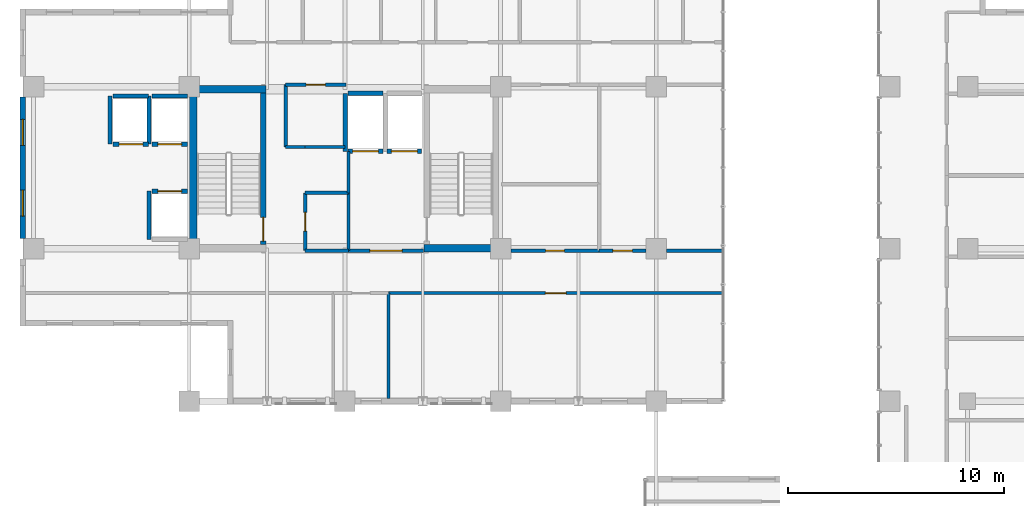
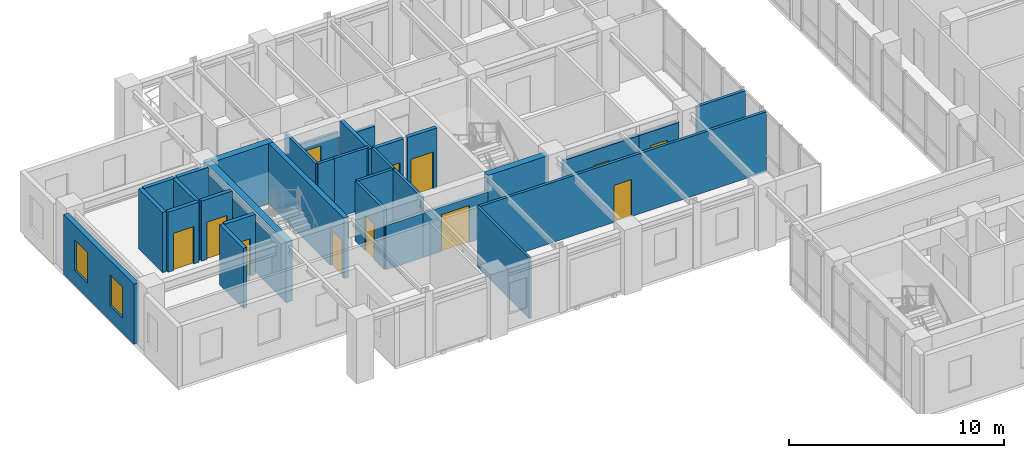
# One storey, part 17 of 24: 32 walls, 12 doors, 2 windows, 14 openings.
"""IFC4 building model written with IfcOpenShell, lengths in metres."""

from ifc_helpers import new_model, si_unit, direction, frame, frame_2d, origin, place, context, subcontext, project, spatial, rectangle, extrude, material, layer, layer_set, type_object, element, fill, save


model = new_model("IFC4")

# Units and contexts
model_context = context("Model", 3, precision=1e-05, world=origin(), true_north=direction((0.0, 1.0)))
body_context = subcontext(model_context, "Body", "Model", "MODEL_VIEW")
ifc_project = project(units=[si_unit("LENGTHUNIT", "METRE"), si_unit("AREAUNIT", "SQUARE_METRE"), si_unit("VOLUMEUNIT", "CUBIC_METRE"), si_unit("PLANEANGLEUNIT", "RADIAN"), si_unit("MASSUNIT", "GRAM", prefix="KILO")], contexts=[model_context])

# Site, building, storey
site_placement = place(None, origin())
site = spatial("IfcSite", under=ifc_project, at=site_placement, CompositionType="ELEMENT")
building_placement = place(site_placement, origin())
building = spatial("IfcBuilding", under=site, at=building_placement, Name="Kaliganga Portal Commons", CompositionType="ELEMENT")
storey_placement = place(building_placement, frame((0.0, 0.0, 242.5)))
storey = spatial("IfcBuildingStorey", under=building, at=storey_placement, Name="L62", CompositionType="ELEMENT", Elevation=242.5)

# Walls
ifc_material_1 = material(Name="Concrete C50/60", Category="concrete")
ifc_layer_1 = layer(ifc_material_1, 0.35009765625)
ifc_layer_set_1 = layer_set([ifc_layer_1], Name="Concrete C50/60")
wall_type_1 = type_object("IfcWallType", Name="WL-CORE-350", PredefinedType="SHEAR", material=ifc_layer_set_1)
wall_1_placement = place(storey_placement, frame((14.574951171875, 28.5, 0.0), z_axis=(0.0, 0.0, 1.0), x_axis=(0.0, 1.0, 0.0)))
element("IfcWall", 1, at=wall_1_placement, inside=storey, type_object=wall_type_1, Name="Core A West Shear Wall L62", PredefinedType="SHEAR", context=body_context, shape_type="SweptSolid", body=[
    extrude(rectangle(XDim=7.699951171875, YDim=0.35009765625, at=frame_2d((3.85009765625, 0.0))), origin(), (0.0, 0.0, 1.0), 3.43994140625),
])
for number, where, z_axis, x_axis, name in (
    (2, (25.25, 28.675048828125, 0.0), (0.0, 0.0, 1.0), (1.0, 0.0, 0.0), "Core A S-East Shear Wall L62"),
    (3, (14.75, 36.02490234375, 0.0), (0.0, 0.0, 1.0), (1.0, 0.0, 0.0), "Core A N-West Shear Wall L62"),
):
    element("IfcWall", number, at=place(storey_placement, frame(where, z_axis=z_axis, x_axis=x_axis)), inside=storey, type_object=wall_type_1, Name=name, PredefinedType="SHEAR", context=body_context, shape_type="SweptSolid", body=[
        extrude(rectangle(XDim=3.199951171875, YDim=0.35009765625, at=frame_2d((1.60009765625, 0.0))), origin(), (0.0, 0.0, 1.0), 3.43994140625),
    ])

# Wall, openings, windows
ifc_material_2 = material(Name="Insulated Aluminium-Clad Spandrel Assembly", Category="aluminium")
ifc_layer_2 = layer(ifc_material_2, 0.260009765625)
ifc_layer_set_2 = layer_set([ifc_layer_2], Name="Insulated Aluminium-Clad Spandrel Assembly")
wall_type_2 = type_object("IfcWallType", Name="WL-EXT-SPAND-260", PredefinedType="STANDARD", material=ifc_layer_set_2)
wall_2_placement = place(storey_placement, frame((6.699951171875, 29.1259765625, 0.0), z_axis=(0.0, 0.0, 1.0), x_axis=(0.0, 1.0, 0.0)))
wall_2 = element("IfcWall", 4, at=wall_2_placement, inside=storey, type_object=wall_type_2, Name="Exterior Envelope Wall L62 P1-E05-S2", PredefinedType="STANDARD", context=body_context, shape_type="SweptSolid", body=[
    extrude(rectangle(XDim=6.548095703125, YDim=0.260009765625, at=frame_2d((3.27392578125, 0.0))), origin(), (0.0, 0.0, 1.0), 3.419921875),
])
opening_1_placement = place(wall_2_placement, frame((1.037109375, 0.0, 0.85009765625)))
opening_1 = element("IfcOpeningElement", 5, at=opening_1_placement, cuts=wall_2, Name="Opening W-03", PredefinedType="OPENING", context=body_context, shape_type="SweptSolid", body=[
    extrude(rectangle(XDim=1.199951171875, YDim=1.75, at=frame_2d((0.60009765625, 0.875))), frame((0.0, 0.14013671875, 0.0), z_axis=(0.0, -1.0, 0.0), x_axis=(1.0, 0.0, 0.0)), (0.0, 0.0, 1.0), 0.280029296875),
])
opening_2_placement = place(wall_2_placement, frame((4.31103515625, 0.0, 0.85009765625)))
opening_2 = element("IfcOpeningElement", 6, at=opening_2_placement, cuts=wall_2, Name="Opening W-03", PredefinedType="OPENING", context=body_context, shape_type="SweptSolid", body=[
    extrude(rectangle(XDim=1.199951171875, YDim=1.75, at=frame_2d((0.60009765625, 0.875))), frame((0.0, 0.14013671875, 0.0), z_axis=(0.0, -1.0, 0.0), x_axis=(1.0, 0.0, 0.0)), (0.0, 0.0, 1.0), 0.280029296875),
])
ifc_material_3 = material(Name="Thermally Broken Aluminium and Low-E Double Glazing", Category="aluminium")
window_type = type_object("IfcWindowType", Name="WIN-STD-1200", PartitioningType="SINGLE_PANEL", PredefinedType="WINDOW", material=ifc_material_3)
window_1_placement = place(opening_1_placement, origin())
window_1 = element("IfcWindow", 7, at=window_1_placement, inside=storey, type_object=window_type, Name="Facade Window L62-P1E05S2-00", OverallHeight=1.75, OverallWidth=1.199951171875, PartitioningType="SINGLE_PANEL", PredefinedType="WINDOW", context=body_context, shape_type="SweptSolid", body=[
    extrude(rectangle(XDim=1.199951171875, YDim=1.75, at=frame_2d((0.60009765625, 0.875))), frame((0.0, 0.030029296875, 0.0), z_axis=(0.0, -1.0, 0.0), x_axis=(1.0, 0.0, 0.0)), (0.0, 0.0, 1.0), 0.06005859375),
])
fill(opening_1, window_1)
window_2_placement = place(opening_2_placement, origin())
window_2 = element("IfcWindow", 8, at=window_2_placement, inside=storey, type_object=window_type, Name="Facade Window L62-P1E05S2-01", OverallHeight=1.75, OverallWidth=1.199951171875, PartitioningType="SINGLE_PANEL", PredefinedType="WINDOW", context=body_context, shape_type="SweptSolid", body=[
    extrude(rectangle(XDim=1.199951171875, YDim=1.75, at=frame_2d((0.60009765625, 0.875))), frame((0.0, 0.030029296875, 0.0), z_axis=(0.0, -1.0, 0.0), x_axis=(1.0, 0.0, 0.0)), (0.0, 0.0, 1.0), 0.06005859375),
])
fill(opening_2, window_2)

# Wall, opening, door
ifc_material_4 = material(Name="Fire-Rated Gypsum Board on Steel Stud", Category="steel")
ifc_layer_3 = layer(ifc_material_4, 0.14990234375)
ifc_layer_set_3 = layer_set([ifc_layer_3], Name="Fire-Rated Gypsum Board on Steel Stud")
wall_type_3 = type_object("IfcWallType", Name="WL-PART-CORR-150", PredefinedType="PARTITIONING", material=ifc_layer_set_3)
wall_3_placement = place(storey_placement, frame((23.6201171875, 26.60009765625, 0.0), z_axis=(0.0, 0.0, 1.0), x_axis=(1.0, 0.0, 0.0)))
wall_3 = element("IfcWall", 9, at=wall_3_placement, inside=storey, type_object=wall_type_3, Name="Interior Partition L62-001", PredefinedType="PARTITIONING", context=body_context, shape_type="SweptSolid", body=[
    extrude(rectangle(XDim=15.4599609375, YDim=0.14990234375, at=frame_2d((7.72998046875, 0.0))), origin(), (0.0, 0.0, 1.0), 3.419921875),
])
opening_3_placement = place(wall_3_placement, frame((7.2548828125, 0.0, 0.0)))
opening_3 = element("IfcOpeningElement", 10, at=opening_3_placement, cuts=wall_3, Name="Opening UD-01", PredefinedType="OPENING", context=body_context, shape_type="SweptSolid", body=[
    extrude(rectangle(XDim=0.949951171875, YDim=2.10009765625, at=frame_2d((0.47509765625, 1.050048828125))), frame((0.0, 0.0849609375, 0.0), z_axis=(0.0, -1.0, 0.0), x_axis=(1.0, 0.0, 0.0)), (0.0, 0.0, 1.0), 0.169921875),
])
ifc_material_5 = material(Name="Solid-Core Timber Acoustic Fire Door", Category="wood")
door_type_1 = type_object("IfcDoorType", Name="DR-UNIT-950", OperationType="NOTDEFINED", PredefinedType="DOOR", material=ifc_material_5)
door_1_placement = place(opening_3_placement, origin())
door_1 = element("IfcDoor", 11, at=door_1_placement, inside=storey, type_object=door_type_1, Name="Interior Door L62-AS03", OperationType="SINGLE_SWING_LEFT", OverallHeight=2.10009765625, OverallWidth=0.949951171875, PredefinedType="DOOR", context=body_context, shape_type="SweptSolid", body=[
    extrude(rectangle(XDim=0.949951171875, YDim=2.10009765625, at=frame_2d((0.47509765625, 1.050048828125))), frame((0.0, 0.02490234375, 0.0), z_axis=(0.0, -1.0, 0.0), x_axis=(1.0, 0.0, 0.0)), (0.0, 0.0, 1.0), 0.050048828125),
])
fill(opening_3, door_1)

wall_4_placement = place(storey_placement, frame((33.360107421875, 28.56005859375, 0.0), z_axis=(0.0, 0.0, 1.0), x_axis=(1.0, 0.0, 0.0)))
wall_4 = element("IfcWall", 12, at=wall_4_placement, inside=storey, type_object=wall_type_3, Name="Interior Partition L62-006", PredefinedType="PARTITIONING", context=body_context, shape_type="SweptSolid", body=[
    extrude(rectangle(XDim=2.164794921875, YDim=0.14990234375, at=frame_2d((1.08251953125, 0.0))), origin(), (0.0, 0.0, 1.0), 2.8701171875),
])
opening_4_placement = place(wall_4_placement, frame((0.632568359375, 0.0, 0.0)))
opening_4 = element("IfcOpeningElement", 13, at=opening_4_placement, cuts=wall_4, Name="Opening RD-01", PredefinedType="OPENING", context=body_context, shape_type="SweptSolid", body=[
    extrude(rectangle(XDim=0.89990234375, YDim=2.080078125, at=frame_2d((0.449951171875, 1.0400390625))), frame((0.0, 0.0849609375, 0.0), z_axis=(0.0, -1.0, 0.0), x_axis=(1.0, 0.0, 0.0)), (0.0, 0.0, 1.0), 0.169921875),
])
ifc_material_6 = material(Name="Engineered Timber Flush Door", Category="wood")
door_type_2 = type_object("IfcDoorType", Name="DR-ROOM-900", OperationType="NOTDEFINED", PredefinedType="DOOR", material=ifc_material_6)
door_2_placement = place(opening_4_placement, origin())
door_2 = element("IfcDoor", 14, at=door_2_placement, inside=storey, type_object=door_type_2, Name="Interior Door L62-APE01", OperationType="SINGLE_SWING_RIGHT", OverallHeight=2.080078125, OverallWidth=0.89990234375, PredefinedType="DOOR", context=body_context, shape_type="SweptSolid", body=[
    extrude(rectangle(XDim=0.89990234375, YDim=2.080078125, at=frame_2d((0.449951171875, 1.0400390625))), frame((0.0, 0.02490234375, 0.0), z_axis=(0.0, -1.0, 0.0), x_axis=(1.0, 0.0, 0.0)), (0.0, 0.0, 1.0), 0.050048828125),
])
fill(opening_4, door_2)

# Wall
wall_5_placement = place(storey_placement, frame((36.47509765625, 28.56005859375, 0.0), z_axis=(0.0, 0.0, 1.0), x_axis=(1.0, 0.0, 0.0)))
element("IfcWall", 15, at=wall_5_placement, inside=storey, type_object=wall_type_3, Name="Interior Partition L62-007", PredefinedType="PARTITIONING", context=body_context, shape_type="SweptSolid", body=[
    extrude(rectangle(XDim=2.60498046875, YDim=0.14990234375, at=frame_2d((1.302490234375, 0.0))), origin(), (0.0, 0.0, 1.0), 3.419921875),
])

# Wall, opening, door
wall_6_placement = place(storey_placement, frame((29.27490234375, 28.56005859375, 0.0), z_axis=(0.0, 0.0, 1.0), x_axis=(1.0, 0.0, 0.0)))
wall_6 = element("IfcWall", 16, at=wall_6_placement, inside=storey, type_object=wall_type_3, Name="Interior Partition L62-010", PredefinedType="PARTITIONING", context=body_context, shape_type="SweptSolid", body=[
    extrude(rectangle(XDim=4.085205078125, YDim=0.14990234375, at=frame_2d((2.04248046875, 0.0))), origin(), (0.0, 0.0, 1.0), 2.8701171875),
])
opening_5_placement = place(wall_6_placement, frame((1.612548828125, 0.0, 0.0)))
opening_5 = element("IfcOpeningElement", 17, at=opening_5_placement, cuts=wall_6, Name="Opening WD-02", PredefinedType="OPENING", context=body_context, shape_type="SweptSolid", body=[
    extrude(rectangle(XDim=0.860107421875, YDim=2.02001953125, at=frame_2d((0.43017578125, 1.010009765625))), frame((0.0, 0.0849609375, 0.0), z_axis=(0.0, -1.0, 0.0), x_axis=(1.0, 0.0, 0.0)), (0.0, 0.0, 1.0), 0.169921875),
])
ifc_material_7 = material(Name="Fire-Rated Utility Closet Door", Category="wood")
door_type_3 = type_object("IfcDoorType", Name="DR-STORE-800", OperationType="NOTDEFINED", PredefinedType="DOOR", material=ifc_material_7)
door_3_placement = place(opening_5_placement, origin())
door_3 = element("IfcDoor", 18, at=door_3_placement, inside=storey, type_object=door_type_3, Name="Interior Door L62-CSRV_A1", OperationType="SINGLE_SWING_LEFT", OverallHeight=2.02001953125, OverallWidth=0.860107421875, PredefinedType="DOOR", context=body_context, shape_type="SweptSolid", body=[
    extrude(rectangle(XDim=0.860107421875, YDim=2.02001953125, at=frame_2d((0.43017578125, 1.010009765625))), frame((0.0, 0.02490234375, 0.0), z_axis=(0.0, -1.0, 0.0), x_axis=(1.0, 0.0, 0.0)), (0.0, 0.0, 1.0), 0.050048828125),
])
fill(opening_5, door_3)

# Wall
wall_7_placement = place(storey_placement, frame((18.860107421875, 33.360107421875, 0.0), z_axis=(0.0, 0.0, 1.0), x_axis=(0.0, 1.0, 0.0)))
element("IfcWall", 19, at=wall_7_placement, inside=storey, type_object=wall_type_3, Name="Interior Partition L62-025", PredefinedType="PARTITIONING", context=body_context, shape_type="SweptSolid", body=[
    extrude(rectangle(XDim=2.8798828125, YDim=0.14990234375, at=frame_2d((1.43994140625, 0.0))), origin(), (0.0, 0.0, 1.0), 3.419921875),
])

# Wall, opening, door
wall_8_placement = place(storey_placement, frame((18.860107421875, 36.239990234375, 0.0), z_axis=(0.0, 0.0, 1.0), x_axis=(1.0, 0.0, 0.0)))
wall_8 = element("IfcWall", 20, at=wall_8_placement, inside=storey, type_object=wall_type_3, Name="Interior Partition L62-026", PredefinedType="PARTITIONING", context=body_context, shape_type="SweptSolid", body=[
    extrude(rectangle(XDim=2.77978515625, YDim=0.14990234375, at=frame_2d((1.389892578125, 0.0))), origin(), (0.0, 0.0, 1.0), 2.52001953125),
])
opening_6_placement = place(wall_8_placement, frame((0.93994140625, 0.0, 0.0)))
opening_6 = element("IfcOpeningElement", 21, at=opening_6_placement, cuts=wall_8, Name="Opening RD-01", PredefinedType="OPENING", context=body_context, shape_type="SweptSolid", body=[
    extrude(rectangle(XDim=0.89990234375, YDim=2.080078125, at=frame_2d((0.449951171875, 1.0400390625))), frame((0.0, 0.0849609375, 0.0), z_axis=(0.0, -1.0, 0.0), x_axis=(1.0, 0.0, 0.0)), (0.0, 0.0, 1.0), 0.169921875),
])
door_4_placement = place(opening_6_placement, origin())
door_4 = element("IfcDoor", 22, at=door_4_placement, inside=storey, type_object=door_type_2, Name="Interior Door L62-CREC_A1", OperationType="SINGLE_SWING_LEFT", OverallHeight=2.080078125, OverallWidth=0.89990234375, PredefinedType="DOOR", context=body_context, shape_type="SweptSolid", body=[
    extrude(rectangle(XDim=0.89990234375, YDim=2.080078125, at=frame_2d((0.449951171875, 1.0400390625))), frame((0.0, 0.02490234375, 0.0), z_axis=(0.0, -1.0, 0.0), x_axis=(1.0, 0.0, 0.0)), (0.0, 0.0, 1.0), 0.050048828125),
])
fill(opening_6, door_4)

wall_9_placement = place(storey_placement, frame((19.760009765625, 28.56005859375, 0.0), z_axis=(0.0, 0.0, 1.0), x_axis=(0.0, 1.0, 0.0)))
wall_9 = element("IfcWall", 23, at=wall_9_placement, inside=storey, type_object=wall_type_3, Name="Interior Partition L62-027", PredefinedType="PARTITIONING", context=body_context, shape_type="SweptSolid", body=[
    extrude(rectangle(XDim=2.679931640625, YDim=0.14990234375, at=frame_2d((1.33984375, 0.0))), origin(), (0.0, 0.0, 1.0), 3.419921875),
])
opening_7_placement = place(wall_9_placement, frame((0.909912109375, 0.0, 0.0)))
opening_7 = element("IfcOpeningElement", 24, at=opening_7_placement, cuts=wall_9, Name="Opening WD-02", PredefinedType="OPENING", context=body_context, shape_type="SweptSolid", body=[
    extrude(rectangle(XDim=0.860107421875, YDim=2.02001953125, at=frame_2d((0.43017578125, 1.010009765625))), frame((0.0, 0.0849609375, 0.0), z_axis=(0.0, -1.0, 0.0), x_axis=(1.0, 0.0, 0.0)), (0.0, 0.0, 1.0), 0.169921875),
])
door_5_placement = place(opening_7_placement, origin())
door_5 = element("IfcDoor", 25, at=door_5_placement, inside=storey, type_object=door_type_3, Name="Interior Door L62-CIN_A1", OperationType="SINGLE_SWING_RIGHT", OverallHeight=2.02001953125, OverallWidth=0.860107421875, PredefinedType="DOOR", context=body_context, shape_type="SweptSolid", body=[
    extrude(rectangle(XDim=0.860107421875, YDim=2.02001953125, at=frame_2d((0.43017578125, 1.010009765625))), frame((0.0, 0.02490234375, 0.0), z_axis=(0.0, -1.0, 0.0), x_axis=(1.0, 0.0, 0.0)), (0.0, 0.0, 1.0), 0.050048828125),
])
fill(opening_7, door_5)

# Walls
wall_10_placement = place(storey_placement, frame((21.760009765625, 28.56005859375, 0.0), z_axis=(0.0, 0.0, 1.0), x_axis=(0.0, 1.0, 0.0)))
element("IfcWall", 26, at=wall_10_placement, inside=storey, type_object=wall_type_3, Name="Interior Partition L62-028", PredefinedType="PARTITIONING", context=body_context, shape_type="SweptSolid", body=[
    extrude(rectangle(XDim=2.679931640625, YDim=0.14990234375, at=frame_2d((1.33984375, 0.0))), origin(), (0.0, 0.0, 1.0), 3.419921875),
])
wall_11_placement = place(storey_placement, frame((19.760009765625, 28.56005859375, 0.0), z_axis=(0.0, 0.0, 1.0), x_axis=(1.0, 0.0, 0.0)))
element("IfcWall", 27, at=wall_11_placement, inside=storey, type_object=wall_type_3, Name="Interior Partition L62-032", PredefinedType="PARTITIONING", context=body_context, shape_type="SweptSolid", body=[
    extrude(rectangle(XDim=2.0, YDim=0.14990234375, at=frame_2d((1.0, 0.0))), origin(), (0.0, 0.0, 1.0), 2.52001953125),
])
wall_12_placement = place(storey_placement, frame((19.760009765625, 31.239990234375, 0.0), z_axis=(0.0, 0.0, 1.0), x_axis=(1.0, 0.0, 0.0)))
element("IfcWall", 28, at=wall_12_placement, inside=storey, type_object=wall_type_3, Name="Interior Partition L62-033", PredefinedType="PARTITIONING", context=body_context, shape_type="SweptSolid", body=[
    extrude(rectangle(XDim=2.0, YDim=0.14990234375, at=frame_2d((1.0, 0.0))), origin(), (0.0, 0.0, 1.0), 3.419921875),
])
wall_13_placement = place(storey_placement, frame((19.760009765625, 33.360107421875, 0.0), z_axis=(0.0, 0.0, 1.0), x_axis=(1.0, 0.0, 0.0)))
element("IfcWall", 29, at=wall_13_placement, inside=storey, type_object=wall_type_3, Name="Interior Partition L62-034", PredefinedType="PARTITIONING", context=body_context, shape_type="SweptSolid", body=[
    extrude(rectangle(XDim=1.85009765625, YDim=0.14990234375, at=frame_2d((0.925048828125, 0.0))), origin(), (0.0, 0.0, 1.0), 3.419921875),
])
wall_14_placement = place(storey_placement, frame((18.860107421875, 33.360107421875, 0.0), z_axis=(0.0, 0.0, 1.0), x_axis=(1.0, 0.0, 0.0)))
element("IfcWall", 30, at=wall_14_placement, inside=storey, type_object=wall_type_3, Name="Interior Partition L62-040", PredefinedType="PARTITIONING", context=body_context, shape_type="SweptSolid", body=[
    extrude(rectangle(XDim=0.89990234375, YDim=0.14990234375, at=frame_2d((0.449951171875, 0.0))), origin(), (0.0, 0.0, 1.0), 3.419921875),
])

# Wall, opening, door
wall_15_placement = place(storey_placement, frame((21.760009765625, 28.56005859375, 0.0), z_axis=(0.0, 0.0, 1.0), x_axis=(1.0, 0.0, 0.0)))
wall_15 = element("IfcWall", 31, at=wall_15_placement, inside=storey, type_object=wall_type_3, Name="Interior Partition L62-058", PredefinedType="PARTITIONING", context=body_context, shape_type="SweptSolid", body=[
    extrude(rectangle(XDim=3.47998046875, YDim=0.14990234375, at=frame_2d((1.739990234375, 0.0))), origin(), (0.0, 0.0, 1.0), 2.52001953125),
])
opening_8_placement = place(wall_15_placement, frame((0.989990234375, 0.0, 0.0)))
opening_8 = element("IfcOpeningElement", 32, at=opening_8_placement, cuts=wall_15, Name="Opening FD-01", PredefinedType="OPENING", context=body_context, shape_type="SweptSolid", body=[
    extrude(rectangle(XDim=1.5, YDim=2.10009765625, at=frame_2d((0.75, 1.050048828125))), frame((0.0, 0.0849609375, 0.0), z_axis=(0.0, -1.0, 0.0), x_axis=(1.0, 0.0, 0.0)), (0.0, 0.0, 1.0), 0.169921875),
])
ifc_material_8 = material(Name="Fire-Rated Hardwood and Georgian-Wired Vision Panel", Category="wood")
door_type_4 = type_object("IfcDoorType", Name="DR-LOBBY-1500", OperationType="DOUBLE_DOOR_SINGLE_SWING", PredefinedType="DOOR", material=ifc_material_8)
door_6_placement = place(opening_8_placement, origin())
door_6 = element("IfcDoor", 33, at=door_6_placement, inside=storey, type_object=door_type_4, Name="Interior Door L62-FFLOB_A", OperationType="DOUBLE_DOOR_SINGLE_SWING", OverallHeight=2.10009765625, OverallWidth=1.5, PredefinedType="DOOR", context=body_context, shape_type="SweptSolid", body=[
    extrude(rectangle(XDim=1.5, YDim=2.10009765625, at=frame_2d((0.75, 1.050048828125))), frame((0.0, 0.02490234375, 0.0), z_axis=(0.0, -1.0, 0.0), x_axis=(1.0, 0.0, 0.0)), (0.0, 0.0, 1.0), 0.050048828125),
])
fill(opening_8, door_6)

# Walls
wall_16_placement = place(storey_placement, frame((21.760009765625, 31.239990234375, 0.0), z_axis=(0.0, 0.0, 1.0), x_axis=(0.0, 1.0, 0.0)))
element("IfcWall", 34, at=wall_16_placement, inside=storey, type_object=wall_type_3, Name="Interior Partition L62-060", PredefinedType="PARTITIONING", context=body_context, shape_type="SweptSolid", body=[
    extrude(rectangle(XDim=1.919921875, YDim=0.14990234375, at=frame_2d((0.9599609375, 0.0))), origin(), (0.0, 0.0, 1.0), 3.419921875),
])
ifc_material_9 = material(Name="Cement-Board Wet-Room Partition", Category="gypsum")
ifc_layer_4 = layer(ifc_material_9, 0.135009765625)
ifc_layer_set_4 = layer_set([ifc_layer_4], Name="Cement-Board Wet-Room Partition")
wall_type_4 = type_object("IfcWallType", Name="WL-PART-WET-135", PredefinedType="PARTITIONING", material=ifc_layer_set_4)
wall_17_placement = place(storey_placement, frame((23.6201171875, 21.73193359375, 0.0), z_axis=(0.0, 0.0, 1.0), x_axis=(0.0, 1.0, 0.0)))
element("IfcWall", 35, at=wall_17_placement, inside=storey, type_object=wall_type_4, Name="Interior Partition L62-051", PredefinedType="PARTITIONING", context=body_context, shape_type="SweptSolid", body=[
    extrude(rectangle(XDim=4.8681640625, YDim=0.135009765625, at=frame_2d((2.43408203125, 0.0))), origin(), (0.0, 0.0, 1.0), 3.419921875),
])

# Wall, opening, door
ifc_material_10 = material(Name="Fire-Rated Shaftwall Masonry Assembly", Category="masonry")
ifc_layer_5 = layer(ifc_material_10, 0.199951171875)
ifc_layer_set_5 = layer_set([ifc_layer_5], Name="Fire-Rated Shaftwall Masonry Assembly")
wall_type_5 = type_object("IfcWallType", Name="WL-SHAFT-200", PredefinedType="PARTITIONING", material=ifc_layer_set_5)
wall_18_placement = place(storey_placement, frame((12.675048828125, 33.485107421875, 0.0), z_axis=(0.0, 0.0, 1.0), x_axis=(1.0, 0.0, 0.0)))
wall_18 = element("IfcWall", 36, at=wall_18_placement, inside=storey, type_object=wall_type_5, Name="Lift PL-A3 Hoistway Shaft Wall L62-S", PredefinedType="PARTITIONING", context=body_context, shape_type="SweptSolid", body=[
    extrude(rectangle(XDim=1.64990234375, YDim=0.199951171875, at=frame_2d((0.824951171875, 0.0))), origin(), (0.0, 0.0, 1.0), 3.419921875),
])
opening_9_placement = place(wall_18_placement, frame((0.27490234375, 0.0, 0.0)))
opening_9 = element("IfcOpeningElement", 37, at=opening_9_placement, cuts=wall_18, Name="Opening LD-01", PredefinedType="OPENING", context=body_context, shape_type="SweptSolid", body=[
    extrude(rectangle(XDim=1.10009765625, YDim=2.1201171875, at=frame_2d((0.550048828125, 1.06005859375))), frame((0.0, 0.10986328125, 0.0), z_axis=(0.0, -1.0, 0.0), x_axis=(1.0, 0.0, 0.0)), (0.0, 0.0, 1.0), 0.219970703125),
])
ifc_material_11 = material(Name="Brushed Stainless Steel 316 Lift Landing Door", Category="steel")
door_type_5 = type_object("IfcDoorType", Name="DR-LIFT-1100", OperationType="SLIDING_TO_LEFT", PredefinedType="DOOR", material=ifc_material_11)
door_7_placement = place(opening_9_placement, origin())
door_7 = element("IfcDoor", 38, at=door_7_placement, inside=storey, type_object=door_type_5, Name="Lift PL-A3 Sliding Landing Door L62", OperationType="SLIDING_TO_LEFT", OverallHeight=2.1201171875, OverallWidth=1.10009765625, PredefinedType="DOOR", context=body_context, shape_type="SweptSolid", body=[
    extrude(rectangle(XDim=1.10009765625, YDim=2.1201171875, at=frame_2d((0.550048828125, 1.06005859375))), frame((0.0, 0.02490234375, 0.0), z_axis=(0.0, -1.0, 0.0), x_axis=(1.0, 0.0, 0.0)), (0.0, 0.0, 1.0), 0.050048828125),
])
fill(opening_9, door_7)

# Walls
wall_19_placement = place(storey_placement, frame((12.675048828125, 35.715087890625, 0.0), z_axis=(0.0, 0.0, 1.0), x_axis=(1.0, 0.0, 0.0)))
element("IfcWall", 39, at=wall_19_placement, inside=storey, type_object=wall_type_5, Name="Lift PL-A3 Hoistway Shaft Wall L62-N", PredefinedType="PARTITIONING", context=body_context, shape_type="SweptSolid", body=[
    extrude(rectangle(XDim=1.64990234375, YDim=0.199951171875, at=frame_2d((0.824951171875, 0.0))), origin(), (0.0, 0.0, 1.0), 3.419921875),
])
wall_20_placement = place(storey_placement, frame((12.534912109375, 33.485107421875, 0.0), z_axis=(0.0, 0.0, 1.0), x_axis=(0.0, 1.0, 0.0)))
element("IfcWall", 40, at=wall_20_placement, inside=storey, type_object=wall_type_5, Name="Lift PL-A3 Hoistway Shaft Wall L62-W", PredefinedType="PARTITIONING", context=body_context, shape_type="SweptSolid", body=[
    extrude(rectangle(XDim=2.22998046875, YDim=0.199951171875, at=frame_2d((1.114990234375, 0.0))), origin(), (0.0, 0.0, 1.0), 3.419921875),
])

# Wall, opening, door
wall_21_placement = place(storey_placement, frame((12.675048828125, 31.31494140625, 0.0), z_axis=(0.0, 0.0, 1.0), x_axis=(1.0, 0.0, 0.0)))
wall_21 = element("IfcWall", 41, at=wall_21_placement, inside=storey, type_object=wall_type_5, Name="Lift PL-A4 Hoistway Shaft Wall L62-N", PredefinedType="PARTITIONING", context=body_context, shape_type="SweptSolid", body=[
    extrude(rectangle(XDim=1.64990234375, YDim=0.199951171875, at=frame_2d((0.824951171875, 0.0))), origin(), (0.0, 0.0, 1.0), 3.419921875),
])
opening_10_placement = place(wall_21_placement, frame((0.27490234375, 0.0, 0.0)))
opening_10 = element("IfcOpeningElement", 42, at=opening_10_placement, cuts=wall_21, Name="Opening LD-01", PredefinedType="OPENING", context=body_context, shape_type="SweptSolid", body=[
    extrude(rectangle(XDim=1.10009765625, YDim=2.1201171875, at=frame_2d((0.550048828125, 1.06005859375))), frame((0.0, 0.10986328125, 0.0), z_axis=(0.0, -1.0, 0.0), x_axis=(1.0, 0.0, 0.0)), (0.0, 0.0, 1.0), 0.219970703125),
])
door_8_placement = place(opening_10_placement, origin())
door_8 = element("IfcDoor", 43, at=door_8_placement, inside=storey, type_object=door_type_5, Name="Lift PL-A4 Sliding Landing Door L62", OperationType="SLIDING_TO_LEFT", OverallHeight=2.1201171875, OverallWidth=1.10009765625, PredefinedType="DOOR", context=body_context, shape_type="SweptSolid", body=[
    extrude(rectangle(XDim=1.10009765625, YDim=2.1201171875, at=frame_2d((0.550048828125, 1.06005859375))), frame((0.0, 0.02490234375, 0.0), z_axis=(0.0, -1.0, 0.0), x_axis=(1.0, 0.0, 0.0)), (0.0, 0.0, 1.0), 0.050048828125),
])
fill(opening_10, door_8)

# Wall
wall_22_placement = place(storey_placement, frame((12.534912109375, 29.0849609375, 0.0), z_axis=(0.0, 0.0, 1.0), x_axis=(0.0, 1.0, 0.0)))
element("IfcWall", 44, at=wall_22_placement, inside=storey, type_object=wall_type_5, Name="Lift PL-A4 Hoistway Shaft Wall L62-W", PredefinedType="PARTITIONING", context=body_context, shape_type="SweptSolid", body=[
    extrude(rectangle(XDim=2.22998046875, YDim=0.199951171875, at=frame_2d((1.114990234375, 0.0))), origin(), (0.0, 0.0, 1.0), 3.419921875),
])

# Wall, opening, door
wall_23_placement = place(storey_placement, frame((10.875, 33.485107421875, 0.0), z_axis=(0.0, 0.0, 1.0), x_axis=(1.0, 0.0, 0.0)))
wall_23 = element("IfcWall", 45, at=wall_23_placement, inside=storey, type_object=wall_type_5, Name="Lift PL-OBS Hoistway Shaft Wall L62-S", PredefinedType="PARTITIONING", context=body_context, shape_type="SweptSolid", body=[
    extrude(rectangle(XDim=1.64990234375, YDim=0.199951171875, at=frame_2d((0.824951171875, 0.0))), origin(), (0.0, 0.0, 1.0), 3.419921875),
])
opening_11_placement = place(wall_23_placement, frame((0.27490234375, 0.0, 0.0)))
opening_11 = element("IfcOpeningElement", 46, at=opening_11_placement, cuts=wall_23, Name="Opening LD-01", PredefinedType="OPENING", context=body_context, shape_type="SweptSolid", body=[
    extrude(rectangle(XDim=1.10009765625, YDim=2.1201171875, at=frame_2d((0.550048828125, 1.06005859375))), frame((0.0, 0.10986328125, 0.0), z_axis=(0.0, -1.0, 0.0), x_axis=(1.0, 0.0, 0.0)), (0.0, 0.0, 1.0), 0.219970703125),
])
door_9_placement = place(opening_11_placement, origin())
door_9 = element("IfcDoor", 47, at=door_9_placement, inside=storey, type_object=door_type_5, Name="Lift PL-OBS Sliding Landing Door L62", OperationType="SLIDING_TO_LEFT", OverallHeight=2.1201171875, OverallWidth=1.10009765625, PredefinedType="DOOR", context=body_context, shape_type="SweptSolid", body=[
    extrude(rectangle(XDim=1.10009765625, YDim=2.1201171875, at=frame_2d((0.550048828125, 1.06005859375))), frame((0.0, 0.02490234375, 0.0), z_axis=(0.0, -1.0, 0.0), x_axis=(1.0, 0.0, 0.0)), (0.0, 0.0, 1.0), 0.050048828125),
])
fill(opening_11, door_9)

# Walls
wall_24_placement = place(storey_placement, frame((10.875, 35.715087890625, 0.0), z_axis=(0.0, 0.0, 1.0), x_axis=(1.0, 0.0, 0.0)))
element("IfcWall", 48, at=wall_24_placement, inside=storey, type_object=wall_type_5, Name="Lift PL-OBS Hoistway Shaft Wall L62-N", PredefinedType="PARTITIONING", context=body_context, shape_type="SweptSolid", body=[
    extrude(rectangle(XDim=1.64990234375, YDim=0.199951171875, at=frame_2d((0.824951171875, 0.0))), origin(), (0.0, 0.0, 1.0), 3.419921875),
])
wall_25_placement = place(storey_placement, frame((10.735107421875, 33.485107421875, 0.0), z_axis=(0.0, 0.0, 1.0), x_axis=(0.0, 1.0, 0.0)))
element("IfcWall", 49, at=wall_25_placement, inside=storey, type_object=wall_type_5, Name="Lift PL-OBS Hoistway Shaft Wall L62-W", PredefinedType="PARTITIONING", context=body_context, shape_type="SweptSolid", body=[
    extrude(rectangle(XDim=2.22998046875, YDim=0.199951171875, at=frame_2d((1.114990234375, 0.0))), origin(), (0.0, 0.0, 1.0), 3.419921875),
])

# Wall, opening, door
wall_26_placement = place(storey_placement, frame((21.75, 33.159912109375, 0.0), z_axis=(0.0, 0.0, 1.0), x_axis=(1.0, 0.0, 0.0)))
wall_26 = element("IfcWall", 50, at=wall_26_placement, inside=storey, type_object=wall_type_5, Name="Lift FFL-1 Hoistway Shaft Wall L62-S", PredefinedType="PARTITIONING", context=body_context, shape_type="SweptSolid", body=[
    extrude(rectangle(XDim=1.60009765625, YDim=0.199951171875, at=frame_2d((0.800048828125, 0.0))), origin(), (0.0, 0.0, 1.0), 3.419921875),
])
opening_12_placement = place(wall_26_placement, frame((0.199951171875, 0.0, 0.0)))
opening_12 = element("IfcOpeningElement", 51, at=opening_12_placement, cuts=wall_26, Name="Opening LD-02", PredefinedType="OPENING", context=body_context, shape_type="SweptSolid", body=[
    extrude(rectangle(XDim=1.199951171875, YDim=2.1201171875, at=frame_2d((0.60009765625, 1.06005859375))), frame((0.0, 0.10986328125, 0.0), z_axis=(0.0, -1.0, 0.0), x_axis=(1.0, 0.0, 0.0)), (0.0, 0.0, 1.0), 0.219970703125),
])
ifc_material_12 = material(Name="Brushed Stainless Steel 316 Stretcher Lift Landing Door", Category="steel")
door_type_6 = type_object("IfcDoorType", Name="DR-LIFT-1200", OperationType="SLIDING_TO_RIGHT", PredefinedType="DOOR", material=ifc_material_12)
door_10_placement = place(opening_12_placement, origin())
door_10 = element("IfcDoor", 52, at=door_10_placement, inside=storey, type_object=door_type_6, Name="Lift FFL-1 Sliding Landing Door L62", OperationType="SLIDING_TO_RIGHT", OverallHeight=2.1201171875, OverallWidth=1.199951171875, PredefinedType="DOOR", context=body_context, shape_type="SweptSolid", body=[
    extrude(rectangle(XDim=1.199951171875, YDim=2.1201171875, at=frame_2d((0.60009765625, 1.06005859375))), frame((0.0, 0.02490234375, 0.0), z_axis=(0.0, -1.0, 0.0), x_axis=(1.0, 0.0, 0.0)), (0.0, 0.0, 1.0), 0.050048828125),
])
fill(opening_12, door_10)

# Walls
wall_27_placement = place(storey_placement, frame((21.75, 35.840087890625, 0.0), z_axis=(0.0, 0.0, 1.0), x_axis=(1.0, 0.0, 0.0)))
element("IfcWall", 53, at=wall_27_placement, inside=storey, type_object=wall_type_5, Name="Lift FFL-1 Hoistway Shaft Wall L62-N", PredefinedType="PARTITIONING", context=body_context, shape_type="SweptSolid", body=[
    extrude(rectangle(XDim=1.60009765625, YDim=0.199951171875, at=frame_2d((0.800048828125, 0.0))), origin(), (0.0, 0.0, 1.0), 2.52001953125),
])
wall_28_placement = place(storey_placement, frame((21.610107421875, 33.159912109375, 0.0), z_axis=(0.0, 0.0, 1.0), x_axis=(0.0, 1.0, 0.0)))
element("IfcWall", 54, at=wall_28_placement, inside=storey, type_object=wall_type_5, Name="Lift FFL-1 Hoistway Shaft Wall L62-W", PredefinedType="PARTITIONING", context=body_context, shape_type="SweptSolid", body=[
    extrude(rectangle(XDim=2.68017578125, YDim=0.199951171875, at=frame_2d((1.340087890625, 0.0))), origin(), (0.0, 0.0, 1.0), 3.419921875),
])

# Wall, opening, door
wall_29_placement = place(storey_placement, frame((23.550048828125, 33.159912109375, 0.0), z_axis=(0.0, 0.0, 1.0), x_axis=(1.0, 0.0, 0.0)))
wall_29 = element("IfcWall", 55, at=wall_29_placement, inside=storey, type_object=wall_type_5, Name="Lift FFL-2 Hoistway Shaft Wall L62-S", PredefinedType="PARTITIONING", context=body_context, shape_type="SweptSolid", body=[
    extrude(rectangle(XDim=1.599853515625, YDim=0.199951171875, at=frame_2d((0.7998046875, 0.0))), origin(), (0.0, 0.0, 1.0), 3.419921875),
])
opening_13_placement = place(wall_29_placement, frame((0.199951171875, 0.0, 0.0)))
opening_13 = element("IfcOpeningElement", 56, at=opening_13_placement, cuts=wall_29, Name="Opening LD-02", PredefinedType="OPENING", context=body_context, shape_type="SweptSolid", body=[
    extrude(rectangle(XDim=1.199951171875, YDim=2.1201171875, at=frame_2d((0.60009765625, 1.06005859375))), frame((0.0, 0.10986328125, 0.0), z_axis=(0.0, -1.0, 0.0), x_axis=(1.0, 0.0, 0.0)), (0.0, 0.0, 1.0), 0.219970703125),
])
door_11_placement = place(opening_13_placement, origin())
door_11 = element("IfcDoor", 57, at=door_11_placement, inside=storey, type_object=door_type_6, Name="Lift FFL-2 Sliding Landing Door L62", OperationType="SLIDING_TO_RIGHT", OverallHeight=2.1201171875, OverallWidth=1.199951171875, PredefinedType="DOOR", context=body_context, shape_type="SweptSolid", body=[
    extrude(rectangle(XDim=1.199951171875, YDim=2.1201171875, at=frame_2d((0.60009765625, 1.06005859375))), frame((0.0, 0.02490234375, 0.0), z_axis=(0.0, -1.0, 0.0), x_axis=(1.0, 0.0, 0.0)), (0.0, 0.0, 1.0), 0.050048828125),
])
fill(opening_13, door_11)

ifc_layer_6 = layer(ifc_material_1, 0.25)
ifc_layer_set_6 = layer_set([ifc_layer_6], Name="Concrete C50/60")
wall_type_6 = type_object("IfcWallType", Name="WL-STAIR-250", PredefinedType="SHEAR", material=ifc_layer_set_6)
wall_30_placement = place(storey_placement, frame((17.824951171875, 28.85009765625, 0.0), z_axis=(0.0, 0.0, 1.0), x_axis=(0.0, 1.0, 0.0)))
wall_30 = element("IfcWall", 58, at=wall_30_placement, inside=storey, type_object=wall_type_6, Name="Stair A1 Enclosure Shear Wall L62", PredefinedType="SHEAR", context=body_context, shape_type="SweptSolid", body=[
    extrude(rectangle(XDim=7.0, YDim=0.25, at=frame_2d((3.5, 0.0))), origin(), (0.0, 0.0, 1.0), 3.43994140625),
])
opening_14_placement = place(wall_30_placement, frame((0.14990234375, 0.0, 0.0)))
opening_14 = element("IfcOpeningElement", 59, at=opening_14_placement, cuts=wall_30, Name="Opening SD-01", PredefinedType="OPENING", context=body_context, shape_type="SweptSolid", body=[
    extrude(rectangle(XDim=1.10009765625, YDim=2.080078125, at=frame_2d((0.550048828125, 1.0400390625))), frame((0.0, 0.135009765625, 0.0), z_axis=(0.0, -1.0, 0.0), x_axis=(1.0, 0.0, 0.0)), (0.0, 0.0, 1.0), 0.27001953125),
])
ifc_material_13 = material(Name="Galvanized Steel Fire Door Leaf and Frame", Category="steel")
door_type_7 = type_object("IfcDoorType", Name="DR-STAIR-1100", OperationType="NOTDEFINED", PredefinedType="DOOR", material=ifc_material_13)
door_12_placement = place(opening_14_placement, origin())
door_12 = element("IfcDoor", 60, at=door_12_placement, inside=storey, type_object=door_type_7, Name="Protected Stair ST-A1 Fire Door L62", OperationType="SINGLE_SWING_RIGHT", OverallHeight=2.080078125, OverallWidth=1.10009765625, PredefinedType="DOOR", context=body_context, shape_type="SweptSolid", body=[
    extrude(rectangle(XDim=1.10009765625, YDim=2.080078125, at=frame_2d((0.550048828125, 1.0400390625))), frame((0.0, 0.02490234375, 0.0), z_axis=(0.0, -1.0, 0.0), x_axis=(1.0, 0.0, 0.0)), (0.0, 0.0, 1.0), 0.050048828125),
])
fill(opening_14, door_12)

save(model, "model.ifc")
